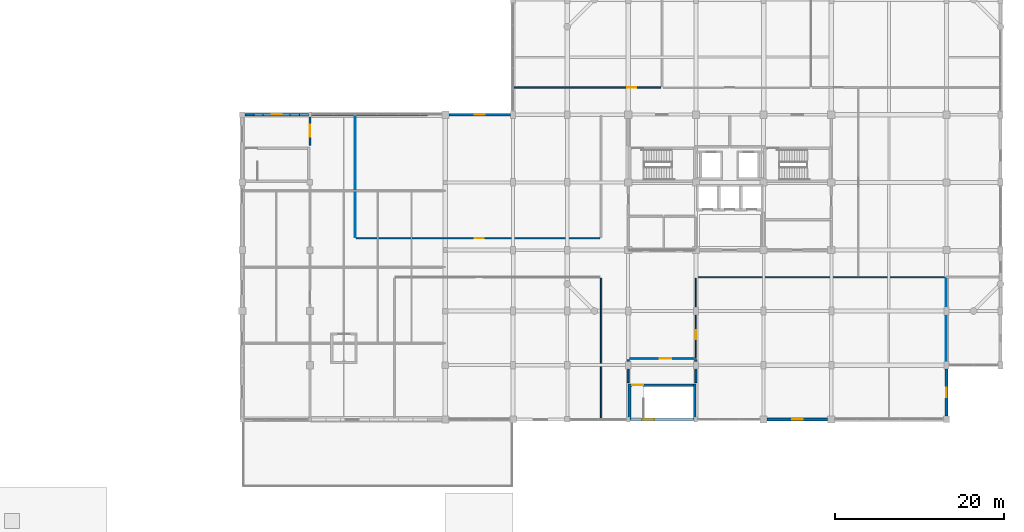
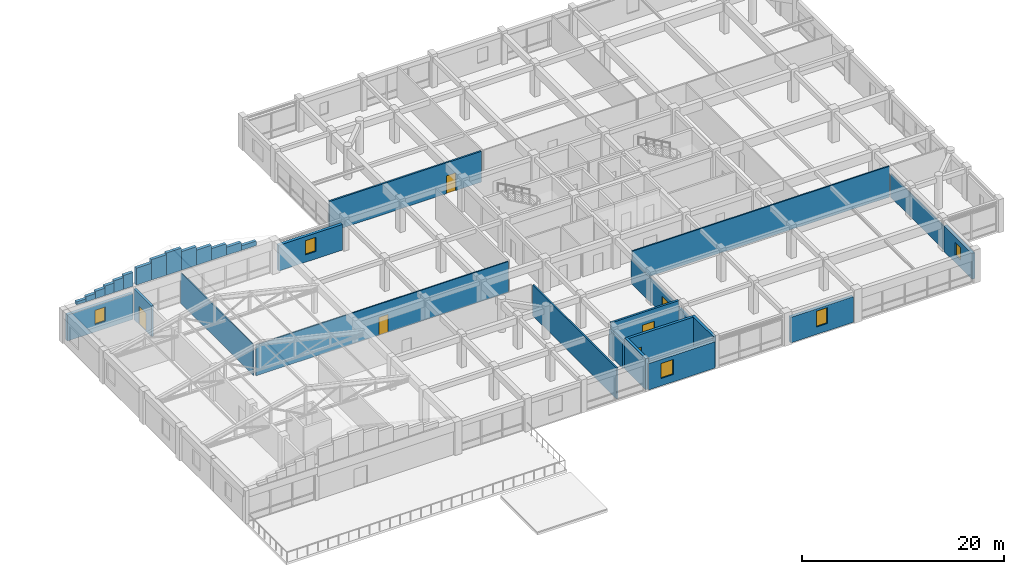
# One storey, part 21 of 27: 33 walls, 6 doors, 5 windows, 11 openings.
"""IFC4 building model written with IfcOpenShell, lengths in metres."""

from ifc_helpers import new_model, si_unit, direction, frame, frame_2d, origin, place, context, subcontext, project, spatial, rectangle, extrude, material, layer, layer_set, type_object, element, fill, save


model = new_model("IFC4")

# Units and contexts
model_context = context("Model", 3, precision=1e-05, world=origin(), true_north=direction((0.0, 1.0)))
body_context = subcontext(model_context, "Body", "Model", "MODEL_VIEW")
ifc_project = project(units=[si_unit("LENGTHUNIT", "METRE"), si_unit("AREAUNIT", "SQUARE_METRE"), si_unit("VOLUMEUNIT", "CUBIC_METRE"), si_unit("PLANEANGLEUNIT", "RADIAN"), si_unit("MASSUNIT", "GRAM", prefix="KILO")], contexts=[model_context])

# Site, building, storey
site_placement = place(None, origin())
site = spatial("IfcSite", under=ifc_project, at=site_placement, CompositionType="ELEMENT")
building_placement = place(site_placement, origin())
building = spatial("IfcBuilding", under=site, at=building_placement, Name="Vellmiral Cinema and Media Centre", CompositionType="ELEMENT")
storey_placement = place(building_placement, frame((0.0, 0.0, 19.800048828125)))
storey = spatial("IfcBuildingStorey", under=building, at=storey_placement, Name="L04", CompositionType="ELEMENT", Elevation=19.800048828125)

# Walls
ifc_material_1 = material(Name="Concrete C40/50", Category="concrete")
ifc_layer_1 = layer(ifc_material_1, 0.300048828125, Name="Concrete C40/50")
ifc_layer_set_1 = layer_set([ifc_layer_1], Name="Concrete C40/50")
wall_type_1 = type_object("IfcWallType", Name="WL-CORE-300", PredefinedType="SHEAR", material=ifc_layer_set_1)
for number, where, z_axis, x_axis, name in (
    (1, (124.14990234375, 59.199951171875, 0.0), (0.0, 0.0, 1.0), (0.0, 1.0, 0.0), "Stair Core Wall ST-P6 L04-W"),
    (2, (131.85009765625, 59.199951171875, 0.0), (0.0, 0.0, 1.0), (0.0, 1.0, 0.0), "Stair Core Wall ST-P6 L04-E"),
):
    element("IfcWall", number, at=place(storey_placement, frame(where, z_axis=z_axis, x_axis=x_axis)), inside=storey, type_object=wall_type_1, Name=name, PredefinedType="SHEAR", context=body_context, shape_type="SweptSolid", body=[
        extrude(rectangle(XDim=4.199951171875, YDim=0.300048828125, at=frame_2d((2.10009765625, 0.0))), origin(), (0.0, 0.0, 1.0), 3.719970703125),
    ])

# Wall, opening, door
wall_1_placement = place(storey_placement, frame((124.300048828125, 63.25, 0.0), z_axis=(0.0, 0.0, 1.0), x_axis=(1.0, 0.0, 0.0)))
wall_1 = element("IfcWall", 3, at=wall_1_placement, inside=storey, type_object=wall_type_1, Name="Stair Core Wall ST-P6 L04-N", PredefinedType="SHEAR", context=body_context, shape_type="SweptSolid", body=[
    extrude(rectangle(XDim=7.39990234375, YDim=0.300048828125, at=frame_2d((3.699951171875, 0.0))), origin(), (0.0, 0.0, 1.0), 3.719970703125),
])
opening_1_placement = place(wall_1_placement, frame((0.159912109375, 0.0, 0.0)))
opening_1 = element("IfcOpeningElement", 4, at=opening_1_placement, cuts=wall_1, Name="Opening D-FD30A", PredefinedType="OPENING", context=body_context, shape_type="SweptSolid", body=[
    extrude(rectangle(XDim=1.300048828125, YDim=2.179931640625, at=frame_2d((0.64990234375, 1.08984375))), frame((0.0, 0.162109375, 0.0), z_axis=(0.0, -1.0, 0.0), x_axis=(1.0, 0.0, 0.0)), (0.0, 0.0, 1.0), 0.323974609375),
])
ifc_material_2 = material(Name="Steel Stair Fire Door", Category="steel")
door_type_1 = type_object("IfcDoorType", Name="DR-FD30-1300x2180", OperationType="NOTDEFINED", PredefinedType="DOOR", material=ifc_material_2)
door_1_placement = place(opening_1_placement, frame((1.300048828125, 0.0, 0.0), z_axis=(0.0, 0.0, 1.0), x_axis=(-1.0, 0.0, 0.0)))
door_1 = element("IfcDoor", 5, at=door_1_placement, inside=storey, type_object=door_type_1, Name="Protected Stair Door ST-P6 L04", OperationType="SINGLE_SWING_RIGHT", OverallHeight=2.179931640625, OverallWidth=1.300048828125, PredefinedType="DOOR", context=body_context, shape_type="SweptSolid", body=[
    extrude(rectangle(XDim=1.300048828125, YDim=2.179931640625, at=frame_2d((0.64990234375, 1.08984375))), frame((0.0, 0.02490234375, 0.0), z_axis=(0.0, -1.0, 0.0), x_axis=(1.0, 0.0, 0.0)), (0.0, 0.0, 1.0), 0.050048828125),
])
fill(opening_1, door_1)

# Wall, opening, window
ifc_material_3 = material(Name="Vosges Red Sandstone Masonry", Category="masonry")
ifc_layer_2 = layer(ifc_material_3, 0.340087890625, Name="Vosges Red Sandstone Masonry")
ifc_layer_set_2 = layer_set([ifc_layer_2], Name="Vosges Red Sandstone Masonry")
wall_type_2 = type_object("IfcWallType", Name="WL-EXT-SAND-340", PredefinedType="SOLIDWALL", material=ifc_layer_set_2)
wall_2_placement = place(storey_placement, frame((124.199951171875, 59.199951171875, 0.0), z_axis=(0.0, 0.0, 1.0), x_axis=(1.0, 0.0, 0.0)))
wall_2 = element("IfcWall", 6, at=wall_2_placement, inside=storey, type_object=wall_type_2, Name="Exterior Facade Wall L04-006", PredefinedType="SOLIDWALL", context=body_context, shape_type="SweptSolid", body=[
    extrude(rectangle(XDim=7.60009765625, YDim=0.340087890625, at=frame_2d((3.800048828125, 0.0))), origin(), (0.0, 0.0, 1.0), 3.175048828125),
])
opening_2_placement = place(wall_2_placement, frame((1.449951171875, 0.0, 0.89990234375)))
opening_2 = element("IfcOpeningElement", 7, at=opening_2_placement, cuts=wall_2, Name="Opening WN-07", PredefinedType="OPENING", context=body_context, shape_type="SweptSolid", body=[
    extrude(rectangle(XDim=1.39990234375, YDim=1.800048828125, at=frame_2d((0.699951171875, 0.89990234375))), frame((0.0, 0.18212890625, 0.0), z_axis=(0.0, -1.0, 0.0), x_axis=(1.0, 0.0, 0.0)), (0.0, 0.0, 1.0), 0.364013671875),
])
ifc_material_4 = material(Name="Thermally Broken Aluminium Triple Glazing", Category="aluminium")
window_type_1 = type_object("IfcWindowType", Name="WN-1400x1800", PartitioningType="SINGLE_PANEL", PredefinedType="WINDOW", material=ifc_material_4)
window_1_placement = place(opening_2_placement, origin())
window_1 = element("IfcWindow", 8, at=window_1_placement, inside=storey, type_object=window_type_1, Name="Window L04-006", OverallHeight=1.800048828125, OverallWidth=1.39990234375, PartitioningType="SINGLE_PANEL", PredefinedType="WINDOW", context=body_context, shape_type="SweptSolid", body=[
    extrude(rectangle(XDim=1.39990234375, YDim=1.800048828125, at=frame_2d((0.699951171875, 0.89990234375))), frame((0.0, 0.030029296875, 0.0), z_axis=(0.0, -1.0, 0.0), x_axis=(1.0, 0.0, 0.0)), (0.0, 0.0, 1.0), 0.06005859375),
])
fill(opening_2, window_1)

wall_3_placement = place(storey_placement, frame((140.425048828125, 59.199951171875, 0.0), z_axis=(0.0, 0.0, 1.0), x_axis=(1.0, 0.0, 0.0)))
wall_3 = element("IfcWall", 9, at=wall_3_placement, inside=storey, type_object=wall_type_2, Name="Exterior Facade Wall L04-008", PredefinedType="SOLIDWALL", context=body_context, shape_type="SweptSolid", body=[
    extrude(rectangle(XDim=7.14990234375, YDim=0.340087890625, at=frame_2d((3.574951171875, 0.0))), origin(), (0.0, 0.0, 1.0), 3.0849609375),
])
opening_3_placement = place(wall_3_placement, frame((2.949951171875, 0.0, 0.89990234375)))
opening_3 = element("IfcOpeningElement", 10, at=opening_3_placement, cuts=wall_3, Name="Opening WN-09", PredefinedType="OPENING", context=body_context, shape_type="SweptSolid", body=[
    extrude(rectangle(XDim=1.25, YDim=1.89990234375, at=frame_2d((0.625, 0.949951171875))), frame((0.0, 0.18212890625, 0.0), z_axis=(0.0, -1.0, 0.0), x_axis=(1.0, 0.0, 0.0)), (0.0, 0.0, 1.0), 0.364013671875),
])
ifc_material_5 = material(Name="Thermally Broken Aluminium Triple Glazing", Category="aluminium")
window_type_2 = type_object("IfcWindowType", Name="WN-1250x1900", PartitioningType="SINGLE_PANEL", PredefinedType="WINDOW", material=ifc_material_5)
window_2_placement = place(opening_3_placement, origin())
window_2 = element("IfcWindow", 11, at=window_2_placement, inside=storey, type_object=window_type_2, Name="Window L04-008", OverallHeight=1.89990234375, OverallWidth=1.25, PartitioningType="SINGLE_PANEL", PredefinedType="WINDOW", context=body_context, shape_type="SweptSolid", body=[
    extrude(rectangle(XDim=1.25, YDim=1.89990234375, at=frame_2d((0.625, 0.949951171875))), frame((0.0, 0.030029296875, 0.0), z_axis=(0.0, -1.0, 0.0), x_axis=(1.0, 0.0, 0.0)), (0.0, 0.0, 1.0), 0.06005859375),
])
fill(opening_3, window_2)

wall_4_placement = place(storey_placement, frame((161.60009765625, 59.574951171875, 0.0), z_axis=(0.0, 0.0, 1.0), x_axis=(0.0, 1.0, 0.0)))
wall_4 = element("IfcWall", 12, at=wall_4_placement, inside=storey, type_object=wall_type_2, Name="Exterior Facade Wall L04-010", PredefinedType="SOLIDWALL", context=body_context, shape_type="SweptSolid", body=[
    extrude(rectangle(XDim=5.574951171875, YDim=0.340087890625, at=frame_2d((2.78759765625, 0.0))), origin(), (0.0, 0.0, 1.0), 3.099853515625),
])
opening_4_placement = place(wall_4_placement, frame((2.237548828125, 0.0, 0.89990234375)))
opening_4 = element("IfcOpeningElement", 13, at=opening_4_placement, cuts=wall_4, Name="Opening WN-11", PredefinedType="OPENING", context=body_context, shape_type="SweptSolid", body=[
    extrude(rectangle(XDim=1.10009765625, YDim=1.550048828125, at=frame_2d((0.550048828125, 0.77490234375))), frame((0.0, 0.18212890625, 0.0), z_axis=(0.0, -1.0, 0.0), x_axis=(1.0, 0.0, 0.0)), (0.0, 0.0, 1.0), 0.364013671875),
])
ifc_material_6 = material(Name="Thermally Broken Aluminium Triple Glazing", Category="aluminium")
window_type_3 = type_object("IfcWindowType", Name="WN-1100x1550", PartitioningType="SINGLE_PANEL", PredefinedType="WINDOW", material=ifc_material_6)
window_3_placement = place(opening_4_placement, origin())
window_3 = element("IfcWindow", 14, at=window_3_placement, inside=storey, type_object=window_type_3, Name="Window L04-010", OverallHeight=1.550048828125, OverallWidth=1.10009765625, PartitioningType="SINGLE_PANEL", PredefinedType="WINDOW", context=body_context, shape_type="SweptSolid", body=[
    extrude(rectangle(XDim=1.10009765625, YDim=1.550048828125, at=frame_2d((0.550048828125, 0.77490234375))), frame((0.0, 0.030029296875, 0.0), z_axis=(0.0, -1.0, 0.0), x_axis=(1.0, 0.0, 0.0)), (0.0, 0.0, 1.0), 0.06005859375),
])
fill(opening_4, window_3)

wall_5_placement = place(storey_placement, frame((110.10009765625, 95.199951171875, 0.0), z_axis=(0.0, 0.0, 1.0), x_axis=(-1.0, 0.0, 0.0)))
wall_5 = element("IfcWall", 15, at=wall_5_placement, inside=storey, type_object=wall_type_2, Name="Exterior Facade Wall L04-030", PredefinedType="SOLIDWALL", context=body_context, shape_type="SweptSolid", body=[
    extrude(rectangle(XDim=7.275146484375, YDim=0.340087890625, at=frame_2d((3.6376953125, 0.0))), origin(), (0.0, 0.0, 1.0), 3.099853515625),
])
opening_5_placement = place(wall_5_placement, frame((3.03759765625, 0.0, 0.89990234375)))
opening_5 = element("IfcOpeningElement", 16, at=opening_5_placement, cuts=wall_5, Name="Opening WN-10", PredefinedType="OPENING", context=body_context, shape_type="SweptSolid", body=[
    extrude(rectangle(XDim=1.199951171875, YDim=1.699951171875, at=frame_2d((0.60009765625, 0.85009765625))), frame((0.0, 0.18212890625, 0.0), z_axis=(0.0, -1.0, 0.0), x_axis=(1.0, 0.0, 0.0)), (0.0, 0.0, 1.0), 0.364013671875),
])
ifc_material_7 = material(Name="Thermally Broken Aluminium Triple Glazing", Category="aluminium")
window_type_4 = type_object("IfcWindowType", Name="WN-1200x1700", PartitioningType="SINGLE_PANEL", PredefinedType="WINDOW", material=ifc_material_7)
window_4_placement = place(opening_5_placement, origin())
window_4 = element("IfcWindow", 17, at=window_4_placement, inside=storey, type_object=window_type_4, Name="Window L04-030", OverallHeight=1.699951171875, OverallWidth=1.199951171875, PartitioningType="SINGLE_PANEL", PredefinedType="WINDOW", context=body_context, shape_type="SweptSolid", body=[
    extrude(rectangle(XDim=1.199951171875, YDim=1.699951171875, at=frame_2d((0.60009765625, 0.85009765625))), frame((0.0, 0.030029296875, 0.0), z_axis=(0.0, -1.0, 0.0), x_axis=(1.0, 0.0, 0.0)), (0.0, 0.0, 1.0), 0.06005859375),
])
fill(opening_5, window_4)

wall_6_placement = place(storey_placement, frame((86.199951171875, 95.199951171875, 0.0), z_axis=(0.0, 0.0, 1.0), x_axis=(-1.0, 0.0, 0.0)))
wall_6 = element("IfcWall", 18, at=wall_6_placement, inside=storey, type_object=wall_type_2, Name="Exterior Facade Wall L04-032", PredefinedType="SOLIDWALL", context=body_context, shape_type="SweptSolid", body=[
    extrude(rectangle(XDim=7.474853515625, YDim=0.340087890625, at=frame_2d((3.7373046875, 0.0))), origin(), (0.0, 0.0, 1.0), 3.14990234375),
])
opening_6_placement = place(wall_6_placement, frame((3.137451171875, 0.0, 0.89990234375)))
opening_6 = element("IfcOpeningElement", 19, at=opening_6_placement, cuts=wall_6, Name="Opening WN-10", PredefinedType="OPENING", context=body_context, shape_type="SweptSolid", body=[
    extrude(rectangle(XDim=1.199951171875, YDim=1.699951171875, at=frame_2d((0.60009765625, 0.85009765625))), frame((0.0, 0.18212890625, 0.0), z_axis=(0.0, -1.0, 0.0), x_axis=(1.0, 0.0, 0.0)), (0.0, 0.0, 1.0), 0.364013671875),
])
window_5_placement = place(opening_6_placement, origin())
window_5 = element("IfcWindow", 20, at=window_5_placement, inside=storey, type_object=window_type_4, Name="Window L04-032", OverallHeight=1.699951171875, OverallWidth=1.199951171875, PartitioningType="SINGLE_PANEL", PredefinedType="WINDOW", context=body_context, shape_type="SweptSolid", body=[
    extrude(rectangle(XDim=1.199951171875, YDim=1.699951171875, at=frame_2d((0.60009765625, 0.85009765625))), frame((0.0, 0.030029296875, 0.0), z_axis=(0.0, -1.0, 0.0), x_axis=(1.0, 0.0, 0.0)), (0.0, 0.0, 1.0), 0.06005859375),
])
fill(opening_6, window_5)

# Walls
wall_7_placement = place(storey_placement, frame((79.79296875, 95.199951171875, 4.0), z_axis=(0.0, 0.0, 1.0), x_axis=(1.0, 0.0, 0.0)))
element("IfcWall", 21, at=wall_7_placement, inside=storey, type_object=wall_type_2, Name="Stepped Broadcast Bridge Barrel Vault Gable End Wall N-1", PredefinedType="SOLIDWALL", context=body_context, shape_type="SweptSolid", body=[
    extrude(rectangle(XDim=1.067626953125, YDim=0.340087890625, at=frame_2d((0.53369140625, 0.0))), origin(), (0.0, 0.0, 1.0), 0.34716796875),
])
wall_8_placement = place(storey_placement, frame((80.860595703125, 95.199951171875, 4.0), z_axis=(0.0, 0.0, 1.0), x_axis=(1.0, 0.0, 0.0)))
element("IfcWall", 22, at=wall_8_placement, inside=storey, type_object=wall_type_2, Name="Stepped Broadcast Bridge Barrel Vault Gable End Wall N-2", PredefinedType="SOLIDWALL", context=body_context, shape_type="SweptSolid", body=[
    extrude(rectangle(XDim=1.068115234375, YDim=0.340087890625, at=frame_2d((0.5341796875, 0.0))), origin(), (0.0, 0.0, 1.0), 0.613525390625),
])
wall_9_placement = place(storey_placement, frame((81.9287109375, 95.199951171875, 4.0), z_axis=(0.0, 0.0, 1.0), x_axis=(1.0, 0.0, 0.0)))
element("IfcWall", 23, at=wall_9_placement, inside=storey, type_object=wall_type_2, Name="Stepped Broadcast Bridge Barrel Vault Gable End Wall N-3", PredefinedType="SOLIDWALL", context=body_context, shape_type="SweptSolid", body=[
    extrude(rectangle(XDim=1.067626953125, YDim=0.340087890625, at=frame_2d((0.53369140625, 0.0))), origin(), (0.0, 0.0, 1.0), 0.879638671875),
])
wall_10_placement = place(storey_placement, frame((82.996337890625, 95.199951171875, 4.0), z_axis=(0.0, 0.0, 1.0), x_axis=(1.0, 0.0, 0.0)))
element("IfcWall", 24, at=wall_10_placement, inside=storey, type_object=wall_type_2, Name="Stepped Broadcast Bridge Barrel Vault Gable End Wall N-4", PredefinedType="SOLIDWALL", context=body_context, shape_type="SweptSolid", body=[
    extrude(rectangle(XDim=1.06787109375, YDim=0.340087890625, at=frame_2d((0.533935546875, 0.0))), origin(), (0.0, 0.0, 1.0), 1.14599609375),
])
wall_11_placement = place(storey_placement, frame((84.064208984375, 95.199951171875, 4.0), z_axis=(0.0, 0.0, 1.0), x_axis=(1.0, 0.0, 0.0)))
element("IfcWall", 25, at=wall_11_placement, inside=storey, type_object=wall_type_2, Name="Stepped Broadcast Bridge Barrel Vault Gable End Wall N-5", PredefinedType="SOLIDWALL", context=body_context, shape_type="SweptSolid", body=[
    extrude(rectangle(XDim=1.06787109375, YDim=0.340087890625, at=frame_2d((0.533935546875, 0.0))), origin(), (0.0, 0.0, 1.0), 1.412353515625),
])
wall_12_placement = place(storey_placement, frame((85.132080078125, 95.199951171875, 4.0), z_axis=(0.0, 0.0, 1.0), x_axis=(1.0, 0.0, 0.0)))
element("IfcWall", 26, at=wall_12_placement, inside=storey, type_object=wall_type_2, Name="Stepped Broadcast Bridge Barrel Vault Gable End Wall N-6", PredefinedType="SOLIDWALL", context=body_context, shape_type="SweptSolid", body=[
    extrude(rectangle(XDim=1.06787109375, YDim=0.340087890625, at=frame_2d((0.533935546875, 0.0))), origin(), (0.0, 0.0, 1.0), 1.678466796875),
])
wall_13_placement = place(storey_placement, frame((86.60009765625, 95.199951171875, 4.0), z_axis=(0.0, 0.0, 1.0), x_axis=(1.0, 0.0, 0.0)))
element("IfcWall", 27, at=wall_13_placement, inside=storey, type_object=wall_type_2, Name="Stepped Broadcast Bridge Barrel Vault Gable End Wall N-7", PredefinedType="SOLIDWALL", context=body_context, shape_type="SweptSolid", body=[
    extrude(rectangle(XDim=1.708251953125, YDim=0.340087890625, at=frame_2d((0.85400390625, 0.0))), origin(), (0.0, 0.0, 1.0), 2.04443359375),
])
wall_14_placement = place(storey_placement, frame((88.308349609375, 95.199951171875, 4.0), z_axis=(0.0, 0.0, 1.0), x_axis=(1.0, 0.0, 0.0)))
element("IfcWall", 28, at=wall_14_placement, inside=storey, type_object=wall_type_2, Name="Stepped Broadcast Bridge Barrel Vault Gable End Wall N-8", PredefinedType="SOLIDWALL", context=body_context, shape_type="SweptSolid", body=[
    extrude(rectangle(XDim=1.708251953125, YDim=0.340087890625, at=frame_2d((0.85400390625, 0.0))), origin(), (0.0, 0.0, 1.0), 2.470458984375),
])
wall_15_placement = place(storey_placement, frame((90.0166015625, 95.199951171875, 4.0), z_axis=(0.0, 0.0, 1.0), x_axis=(1.0, 0.0, 0.0)))
element("IfcWall", 29, at=wall_15_placement, inside=storey, type_object=wall_type_2, Name="Stepped Broadcast Bridge Barrel Vault Gable End Wall N-9", PredefinedType="SOLIDWALL", context=body_context, shape_type="SweptSolid", body=[
    extrude(rectangle(XDim=1.70849609375, YDim=0.340087890625, at=frame_2d((0.854248046875, 0.0))), origin(), (0.0, 0.0, 1.0), 2.66162109375),
])
wall_16_placement = place(storey_placement, frame((91.72509765625, 95.199951171875, 4.0), z_axis=(0.0, 0.0, 1.0), x_axis=(1.0, 0.0, 0.0)))
element("IfcWall", 30, at=wall_16_placement, inside=storey, type_object=wall_type_2, Name="Stepped Broadcast Bridge Barrel Vault Gable End Wall N-10", PredefinedType="SOLIDWALL", context=body_context, shape_type="SweptSolid", body=[
    extrude(rectangle(XDim=1.708251953125, YDim=0.340087890625, at=frame_2d((0.85400390625, 0.0))), origin(), (0.0, 0.0, 1.0), 2.235595703125),
])
wall_17_placement = place(storey_placement, frame((93.433349609375, 95.199951171875, 4.0), z_axis=(0.0, 0.0, 1.0), x_axis=(1.0, 0.0, 0.0)))
element("IfcWall", 31, at=wall_17_placement, inside=storey, type_object=wall_type_2, Name="Stepped Broadcast Bridge Barrel Vault Gable End Wall N-11", PredefinedType="SOLIDWALL", context=body_context, shape_type="SweptSolid", body=[
    extrude(rectangle(XDim=1.708251953125, YDim=0.340087890625, at=frame_2d((0.85400390625, 0.0))), origin(), (0.0, 0.0, 1.0), 1.8095703125),
])
wall_18_placement = place(storey_placement, frame((95.1416015625, 95.199951171875, 4.0), z_axis=(0.0, 0.0, 1.0), x_axis=(1.0, 0.0, 0.0)))
element("IfcWall", 32, at=wall_18_placement, inside=storey, type_object=wall_type_2, Name="Stepped Broadcast Bridge Barrel Vault Gable End Wall N-12", PredefinedType="SOLIDWALL", context=body_context, shape_type="SweptSolid", body=[
    extrude(rectangle(XDim=1.70849609375, YDim=0.340087890625, at=frame_2d((0.854248046875, 0.0))), origin(), (0.0, 0.0, 1.0), 1.3837890625),
])
wall_19_placement = place(storey_placement, frame((96.85009765625, 95.199951171875, 4.0), z_axis=(0.0, 0.0, 1.0), x_axis=(1.0, 0.0, 0.0)))
element("IfcWall", 33, at=wall_19_placement, inside=storey, type_object=wall_type_2, Name="Stepped Broadcast Bridge Barrel Vault Gable End Wall N-13", PredefinedType="SOLIDWALL", context=body_context, shape_type="SweptSolid", body=[
    extrude(rectangle(XDim=1.708251953125, YDim=0.340087890625, at=frame_2d((0.85400390625, 0.0))), origin(), (0.0, 0.0, 1.0), 0.957763671875),
])
wall_20_placement = place(storey_placement, frame((98.558349609375, 95.199951171875, 4.0), z_axis=(0.0, 0.0, 1.0), x_axis=(1.0, 0.0, 0.0)))
element("IfcWall", 34, at=wall_20_placement, inside=storey, type_object=wall_type_2, Name="Stepped Broadcast Bridge Barrel Vault Gable End Wall N-14", PredefinedType="SOLIDWALL", context=body_context, shape_type="SweptSolid", body=[
    extrude(rectangle(XDim=1.708251953125, YDim=0.340087890625, at=frame_2d((0.85400390625, 0.0))), origin(), (0.0, 0.0, 1.0), 0.53173828125),
])

# Wall, opening, door
ifc_material_8 = material(Name="Concrete C40/50", Category="concrete")
ifc_layer_3 = layer(ifc_material_8, 0.22998046875, Name="Concrete C40/50")
ifc_layer_set_3 = layer_set([ifc_layer_3], Name="Concrete C40/50")
wall_type_3 = type_object("IfcWallType", Name="WL-FFL-230", PredefinedType="SOLIDWALL", material=ifc_layer_set_3)
wall_21_placement = place(storey_placement, frame((86.39990234375, 91.5400390625, 0.0), z_axis=(0.0, 0.0, 1.0), x_axis=(0.0, 1.0, 0.0)))
wall_21 = element("IfcWall", 35, at=wall_21_placement, inside=storey, type_object=wall_type_3, Name="Firefighting Stair Lobby ST-P5 Wall E", PredefinedType="SOLIDWALL", context=body_context, shape_type="SweptSolid", body=[
    extrude(rectangle(XDim=3.474853515625, YDim=0.22998046875, at=frame_2d((1.7373046875, 0.0))), origin(), (0.0, 0.0, 1.0), 3.719970703125),
])
opening_7_placement = place(wall_21_placement, frame((1.06005859375, 0.0, 0.0)))
opening_7 = element("IfcOpeningElement", 36, at=opening_7_placement, cuts=wall_21, Name="Opening D-FD60B", PredefinedType="OPENING", context=body_context, shape_type="SweptSolid", body=[
    extrude(rectangle(XDim=1.39990234375, YDim=2.199951171875, at=frame_2d((0.699951171875, 1.10009765625))), frame((0.0, 0.126953125, 0.0), z_axis=(0.0, -1.0, 0.0), x_axis=(1.0, 0.0, 0.0)), (0.0, 0.0, 1.0), 0.25390625),
])
ifc_material_9 = material(Name="Steel Fire Door", Category="steel")
door_type_2 = type_object("IfcDoorType", Name="DR-FD60-1400x2200", OperationType="NOTDEFINED", PredefinedType="DOOR", material=ifc_material_9)
door_2_placement = place(opening_7_placement, origin())
door_2 = element("IfcDoor", 37, at=door_2_placement, inside=storey, type_object=door_type_2, Name="Firefighting Stair Lobby ST-P5 Door", OperationType="SINGLE_SWING_LEFT", OverallHeight=2.199951171875, OverallWidth=1.39990234375, PredefinedType="DOOR", context=body_context, shape_type="SweptSolid", body=[
    extrude(rectangle(XDim=1.39990234375, YDim=2.199951171875, at=frame_2d((0.699951171875, 1.10009765625))), frame((0.0, 0.02490234375, 0.0), z_axis=(0.0, -1.0, 0.0), x_axis=(1.0, 0.0, 0.0)), (0.0, 0.0, 1.0), 0.050048828125),
])
fill(opening_7, door_2)

wall_22_placement = place(storey_placement, frame((124.139892578125, 66.39990234375, 0.0), z_axis=(0.0, 0.0, 1.0), x_axis=(1.0, 0.0, 0.0)))
wall_22 = element("IfcWall", 38, at=wall_22_placement, inside=storey, type_object=wall_type_3, Name="Firefighting Stair Lobby ST-P6 Wall N", PredefinedType="SOLIDWALL", context=body_context, shape_type="SweptSolid", body=[
    extrude(rectangle(XDim=7.72021484375, YDim=0.22998046875, at=frame_2d((3.860107421875, 0.0))), origin(), (0.0, 0.0, 1.0), 3.719970703125),
])
opening_8_placement = place(wall_22_placement, frame((3.56005859375, 0.0, 0.0)))
opening_8 = element("IfcOpeningElement", 39, at=opening_8_placement, cuts=wall_22, Name="Opening D-FD60B", PredefinedType="OPENING", context=body_context, shape_type="SweptSolid", body=[
    extrude(rectangle(XDim=1.39990234375, YDim=2.199951171875, at=frame_2d((0.699951171875, 1.10009765625))), frame((0.0, 0.126953125, 0.0), z_axis=(0.0, -1.0, 0.0), x_axis=(1.0, 0.0, 0.0)), (0.0, 0.0, 1.0), 0.25390625),
])
door_3_placement = place(opening_8_placement, frame((1.39990234375, 0.0, 0.0), z_axis=(0.0, 0.0, 1.0), x_axis=(-1.0, 0.0, 0.0)))
door_3 = element("IfcDoor", 40, at=door_3_placement, inside=storey, type_object=door_type_2, Name="Firefighting Stair Lobby ST-P6 Door", OperationType="SINGLE_SWING_LEFT", OverallHeight=2.199951171875, OverallWidth=1.39990234375, PredefinedType="DOOR", context=body_context, shape_type="SweptSolid", body=[
    extrude(rectangle(XDim=1.39990234375, YDim=2.199951171875, at=frame_2d((0.699951171875, 1.10009765625))), frame((0.0, 0.02490234375, 0.0), z_axis=(0.0, -1.0, 0.0), x_axis=(1.0, 0.0, 0.0)), (0.0, 0.0, 1.0), 0.050048828125),
])
fill(opening_8, door_3)

# Walls
wall_23_placement = place(storey_placement, frame((124.0, 63.5400390625, 0.0), z_axis=(0.0, 0.0, 1.0), x_axis=(0.0, 1.0, 0.0)))
element("IfcWall", 41, at=wall_23_placement, inside=storey, type_object=wall_type_3, Name="Firefighting Stair Lobby ST-P6 Wall W", PredefinedType="SOLIDWALL", context=body_context, shape_type="SweptSolid", body=[
    extrude(rectangle(XDim=2.719970703125, YDim=0.22998046875, at=frame_2d((1.35986328125, 0.0))), origin(), (0.0, 0.0, 1.0), 3.044921875),
])
wall_24_placement = place(storey_placement, frame((132.0, 63.5400390625, 0.0), z_axis=(0.0, 0.0, 1.0), x_axis=(0.0, 1.0, 0.0)))
element("IfcWall", 42, at=wall_24_placement, inside=storey, type_object=wall_type_3, Name="Firefighting Stair Lobby ST-P6 Wall E", PredefinedType="SOLIDWALL", context=body_context, shape_type="SweptSolid", body=[
    extrude(rectangle(XDim=2.719970703125, YDim=0.22998046875, at=frame_2d((1.35986328125, 0.0))), origin(), (0.0, 0.0, 1.0), 2.844970703125),
])
ifc_material_10 = material(Name="Gypsum Plasterboard")
ifc_layer_4 = layer(ifc_material_10, 0.02490234375, Name="Gypsum Plasterboard", Category="gypsum")
ifc_material_11 = material(Name="Mineral Wool Acoustic Insulation", Category="insulation")
ifc_layer_5 = layer(ifc_material_11, 0.06005859375, Name="Mineral Wool Acoustic Insulation", Category="insulation")
ifc_layer_6 = layer(ifc_material_10, 0.02490234375, Name="Gypsum Plasterboard", Category="gypsum")
ifc_layer_set_4 = layer_set([ifc_layer_4, ifc_layer_5, ifc_layer_6], Name="Gypsum Plasterboard")
wall_type_4 = type_object("IfcWallType", Name="WL-PART-110", PredefinedType="PARTITIONING", material=ifc_layer_set_4)
wall_25_placement = place(storey_placement, frame((91.72509765625, 80.739990234375, 0.0), z_axis=(0.0, 0.0, 1.0), x_axis=(0.0, 1.0, 0.0)))
element("IfcWall", 43, at=wall_25_placement, inside=storey, type_object=wall_type_4, Name="Bridge Assignment Conference Hall Wall W", PredefinedType="PARTITIONING", context=body_context, shape_type="SweptSolid", body=[
    extrude(rectangle(XDim=14.364990234375, YDim=0.110107421875, at=frame_2d((7.1826171875, 0.0))), origin(), (0.0, 0.0, 1.0), 3.719970703125),
])
wall_26_placement = place(storey_placement, frame((161.60009765625, 65.2900390625, 0.0), z_axis=(0.0, 0.0, 1.0), x_axis=(0.0, 1.0, 0.0)))
element("IfcWall", 44, at=wall_26_placement, inside=storey, type_object=wall_type_4, Name="Broadcast Newsroom Hub Wall E", PredefinedType="PARTITIONING", context=body_context, shape_type="SweptSolid", body=[
    extrude(rectangle(XDim=10.570068359375, YDim=0.110107421875, at=frame_2d((5.28515625, 0.0))), origin(), (0.0, 0.0, 1.0), 2.844970703125),
])

# Wall, opening, door
ifc_material_12 = material(Name="Gypsum Plasterboard")
ifc_layer_7 = layer(ifc_material_12, 0.02490234375, Name="Gypsum Plasterboard", Category="gypsum")
ifc_material_13 = material(Name="Mineral Wool Acoustic Insulation", Category="insulation")
ifc_layer_8 = layer(ifc_material_13, 0.080078125, Name="Mineral Wool Acoustic Insulation", Category="insulation")
ifc_layer_9 = layer(ifc_material_12, 0.02490234375, Name="Gypsum Plasterboard", Category="gypsum")
ifc_layer_set_5 = layer_set([ifc_layer_7, ifc_layer_8, ifc_layer_9], Name="Gypsum Plasterboard")
wall_type_5 = type_object("IfcWallType", Name="WL-PART-130", PredefinedType="PARTITIONING", material=ifc_layer_set_5)
wall_27_placement = place(storey_placement, frame((91.864990234375, 80.60009765625, 0.0), z_axis=(0.0, 0.0, 1.0), x_axis=(1.0, 0.0, 0.0)))
wall_27 = element("IfcWall", 45, at=wall_27_placement, inside=storey, type_object=wall_type_5, Name="Bridge Assignment Conference Hall Wall S", PredefinedType="PARTITIONING", context=body_context, shape_type="SweptSolid", body=[
    extrude(rectangle(XDim=28.794921875, YDim=0.1298828125, at=frame_2d((14.3974609375, 0.0))), origin(), (0.0, 0.0, 1.0), 3.719970703125),
])
opening_9_placement = place(wall_27_placement, frame((14.010009765625, 0.0, 0.0)))
opening_9 = element("IfcOpeningElement", 46, at=opening_9_placement, cuts=wall_27, Name="Opening D-I07", PredefinedType="OPENING", context=body_context, shape_type="SweptSolid", body=[
    extrude(rectangle(XDim=1.050048828125, YDim=2.14990234375, at=frame_2d((0.52490234375, 1.074951171875))), frame((0.0, 0.076904296875, 0.0), z_axis=(0.0, -1.0, 0.0), x_axis=(1.0, 0.0, 0.0)), (0.0, 0.0, 1.0), 0.15380859375),
])
ifc_material_14 = material(Name="Laminated Timber Door", Category="wood")
door_type_3 = type_object("IfcDoorType", Name="DR-INT-1050x2150", OperationType="NOTDEFINED", PredefinedType="DOOR", material=ifc_material_14)
door_4_placement = place(opening_9_placement, origin())
door_4 = element("IfcDoor", 47, at=door_4_placement, inside=storey, type_object=door_type_3, Name="Bridge Assignment Conference Hall Door", OperationType="SINGLE_SWING_RIGHT", OverallHeight=2.14990234375, OverallWidth=1.050048828125, PredefinedType="DOOR", context=body_context, shape_type="SweptSolid", body=[
    extrude(rectangle(XDim=1.050048828125, YDim=2.14990234375, at=frame_2d((0.52490234375, 1.074951171875))), frame((0.0, 0.02490234375, 0.0), z_axis=(0.0, -1.0, 0.0), x_axis=(1.0, 0.0, 0.0)), (0.0, 0.0, 1.0), 0.050048828125),
])
fill(opening_9, door_4)

wall_28_placement = place(storey_placement, frame((132.0, 66.39990234375, 0.0), z_axis=(0.0, 0.0, 1.0), x_axis=(0.0, 1.0, 0.0)))
wall_28 = element("IfcWall", 48, at=wall_28_placement, inside=storey, type_object=wall_type_5, Name="Broadcast Newsroom Hub Wall W", PredefinedType="PARTITIONING", context=body_context, shape_type="SweptSolid", body=[
    extrude(rectangle(XDim=9.460205078125, YDim=0.1298828125, at=frame_2d((4.72998046875, 0.0))), origin(), (0.0, 0.0, 1.0), 2.89501953125),
])
opening_10_placement = place(wall_28_placement, frame((2.27490234375, 0.0, 0.0)))
opening_10 = element("IfcOpeningElement", 49, at=opening_10_placement, cuts=wall_28, Name="Opening D-I07", PredefinedType="OPENING", context=body_context, shape_type="SweptSolid", body=[
    extrude(rectangle(XDim=1.050048828125, YDim=2.14990234375, at=frame_2d((0.52490234375, 1.074951171875))), frame((0.0, 0.076904296875, 0.0), z_axis=(0.0, -1.0, 0.0), x_axis=(1.0, 0.0, 0.0)), (0.0, 0.0, 1.0), 0.15380859375),
])
door_5_placement = place(opening_10_placement, frame((1.050048828125, 0.0, 0.0), z_axis=(0.0, 0.0, 1.0), x_axis=(-1.0, 0.0, 0.0)))
door_5 = element("IfcDoor", 50, at=door_5_placement, inside=storey, type_object=door_type_3, Name="Broadcast Newsroom Hub Door", OperationType="SINGLE_SWING_RIGHT", OverallHeight=2.14990234375, OverallWidth=1.050048828125, PredefinedType="DOOR", context=body_context, shape_type="SweptSolid", body=[
    extrude(rectangle(XDim=1.050048828125, YDim=2.14990234375, at=frame_2d((0.52490234375, 1.074951171875))), frame((0.0, 0.02490234375, 0.0), z_axis=(0.0, -1.0, 0.0), x_axis=(1.0, 0.0, 0.0)), (0.0, 0.0, 1.0), 0.050048828125),
])
fill(opening_10, door_5)

# Walls
ifc_material_15 = material(Name="Gypsum Plasterboard")
ifc_layer_10 = layer(ifc_material_15, 0.02490234375, Name="Gypsum Plasterboard", Category="gypsum")
ifc_material_16 = material(Name="Mineral Wool Acoustic Insulation", Category="insulation")
ifc_layer_11 = layer(ifc_material_16, 0.10009765625, Name="Mineral Wool Acoustic Insulation", Category="insulation")
ifc_layer_12 = layer(ifc_material_15, 0.02490234375, Name="Gypsum Plasterboard", Category="gypsum")
ifc_layer_set_6 = layer_set([ifc_layer_10, ifc_layer_11, ifc_layer_12], Name="Gypsum Plasterboard")
wall_type_6 = type_object("IfcWallType", Name="WL-PART-150", PredefinedType="PARTITIONING", material=ifc_layer_set_6)
wall_29_placement = place(storey_placement, frame((132.139892578125, 76.0, 0.0), z_axis=(0.0, 0.0, 1.0), x_axis=(1.0, 0.0, 0.0)))
element("IfcWall", 51, at=wall_29_placement, inside=storey, type_object=wall_type_6, Name="Broadcast Newsroom Hub Wall N", PredefinedType="PARTITIONING", context=body_context, shape_type="SweptSolid", body=[
    extrude(rectangle(XDim=29.320068359375, YDim=0.14990234375, at=frame_2d((14.66015625, 0.0))), origin(), (0.0, 0.0, 1.0), 3.719970703125),
])
ifc_material_17 = material(Name="Gypsum Plasterboard")
ifc_layer_13 = layer(ifc_material_17, 0.02490234375, Name="Gypsum Plasterboard", Category="gypsum")
ifc_material_18 = material(Name="Mineral Wool Acoustic Insulation", Category="insulation")
ifc_layer_14 = layer(ifc_material_18, 0.1201171875, Name="Mineral Wool Acoustic Insulation", Category="insulation")
ifc_layer_15 = layer(ifc_material_17, 0.02490234375, Name="Gypsum Plasterboard", Category="gypsum")
ifc_layer_set_7 = layer_set([ifc_layer_13, ifc_layer_14, ifc_layer_15], Name="Gypsum Plasterboard")
wall_type_7 = type_object("IfcWallType", Name="WL-PART-170", PredefinedType="PARTITIONING", material=ifc_layer_set_7)
wall_30_placement = place(storey_placement, frame((120.800048828125, 59.294921875, 0.0), z_axis=(0.0, 0.0, 1.0), x_axis=(0.0, 1.0, 0.0)))
element("IfcWall", 52, at=wall_30_placement, inside=storey, type_object=wall_type_7, Name="Bridge Ingest and Media Lab Wall E", PredefinedType="PARTITIONING", context=body_context, shape_type="SweptSolid", body=[
    extrude(rectangle(XDim=16.565185546875, YDim=0.169921875, at=frame_2d((8.28271484375, 0.0))), origin(), (0.0, 0.0, 1.0), 3.719970703125),
])

# Wall, opening, door
ifc_material_19 = material(Name="Gypsum Plasterboard")
ifc_layer_16 = layer(ifc_material_19, 0.02490234375, Name="Gypsum Plasterboard", Category="gypsum")
ifc_material_20 = material(Name="Mineral Wool Acoustic Insulation", Category="insulation")
ifc_layer_17 = layer(ifc_material_20, 0.139892578125, Name="Mineral Wool Acoustic Insulation", Category="insulation")
ifc_layer_18 = layer(ifc_material_19, 0.02490234375, Name="Gypsum Plasterboard", Category="gypsum")
ifc_layer_set_8 = layer_set([ifc_layer_16, ifc_layer_17, ifc_layer_18], Name="Gypsum Plasterboard")
wall_type_8 = type_object("IfcWallType", Name="WL-PART-190", PredefinedType="PARTITIONING", material=ifc_layer_set_8)
wall_31_placement = place(storey_placement, frame((110.4951171875, 98.39990234375, 0.0), z_axis=(0.0, 0.0, 1.0), x_axis=(1.0, 0.0, 0.0)))
wall_31 = element("IfcWall", 53, at=wall_31_placement, inside=storey, type_object=wall_type_8, Name="North-West Editorial Office Wall S", PredefinedType="PARTITIONING", context=body_context, shape_type="SweptSolid", body=[
    extrude(rectangle(XDim=17.364990234375, YDim=0.18994140625, at=frame_2d((8.6826171875, 0.0))), origin(), (0.0, 0.0, 1.0), 3.719970703125),
])
opening_11_placement = place(wall_31_placement, frame((13.3798828125, 0.0, 0.0)))
opening_11 = element("IfcOpeningElement", 54, at=opening_11_placement, cuts=wall_31, Name="Opening D-I07", PredefinedType="OPENING", context=body_context, shape_type="SweptSolid", body=[
    extrude(rectangle(XDim=1.050048828125, YDim=2.14990234375, at=frame_2d((0.52490234375, 1.074951171875))), frame((0.0, 0.10693359375, 0.0), z_axis=(0.0, -1.0, 0.0), x_axis=(1.0, 0.0, 0.0)), (0.0, 0.0, 1.0), 0.2138671875),
])
door_6_placement = place(opening_11_placement, origin())
door_6 = element("IfcDoor", 55, at=door_6_placement, inside=storey, type_object=door_type_3, Name="North-West Editorial Office Door", OperationType="SINGLE_SWING_RIGHT", OverallHeight=2.14990234375, OverallWidth=1.050048828125, PredefinedType="DOOR", context=body_context, shape_type="SweptSolid", body=[
    extrude(rectangle(XDim=1.050048828125, YDim=2.14990234375, at=frame_2d((0.52490234375, 1.074951171875))), frame((0.0, 0.02490234375, 0.0), z_axis=(0.0, -1.0, 0.0), x_axis=(1.0, 0.0, 0.0)), (0.0, 0.0, 1.0), 0.050048828125),
])
fill(opening_11, door_6)

save(model, "model.ifc")
